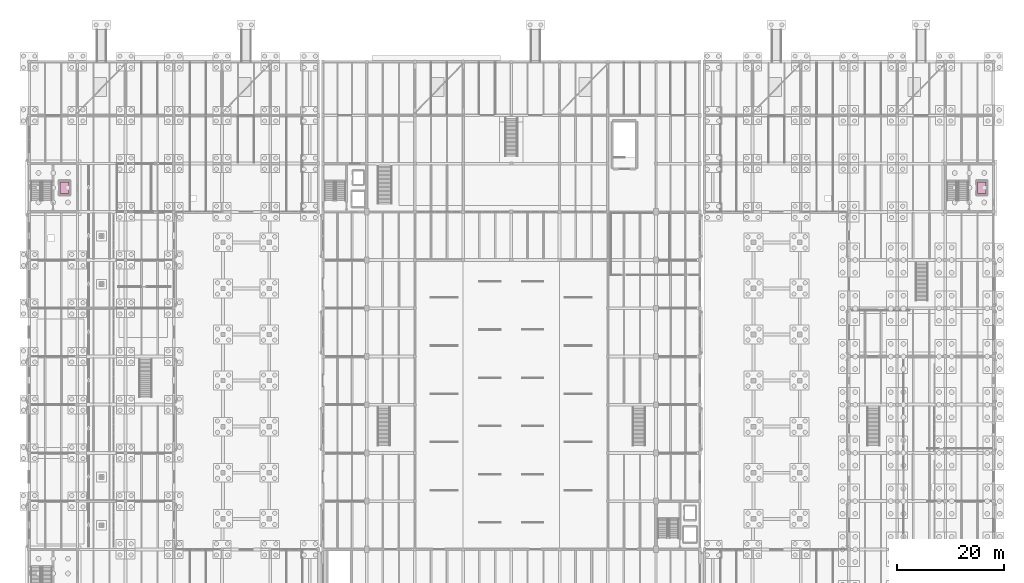
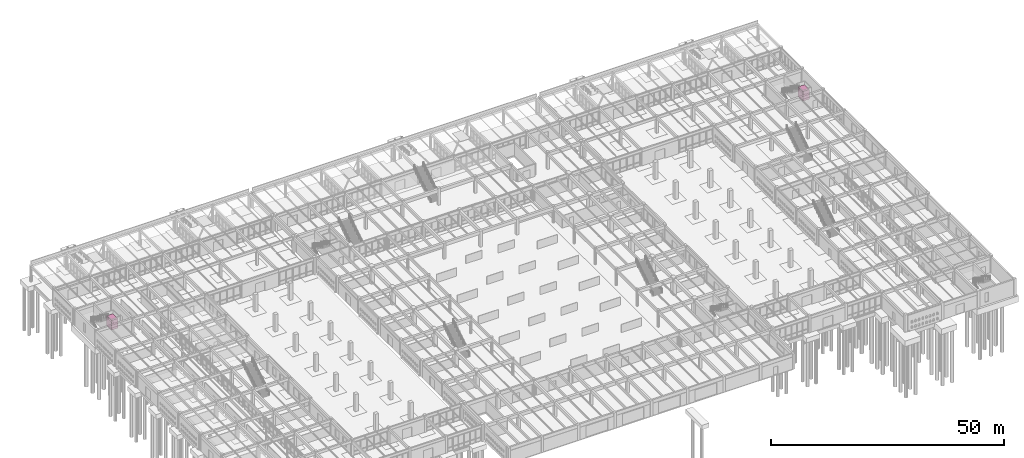
# One storey, part 186 of 186: 2 transport elements.
"""IFC4 building model written with IfcOpenShell, lengths in metres."""

from ifc_helpers import new_model, si_unit, direction, frame, origin, origin_2d, place, context, subcontext, project, spatial, rectangle, extrude, material, type_object, element, save


model = new_model("IFC4")

# Units and contexts
model_context = context("Model", 3, precision=1e-05, world=origin(), true_north=direction((0.0, 1.0)))
body_context = subcontext(model_context, "Body", "Model", "MODEL_VIEW")
ifc_project = project(units=[si_unit("LENGTHUNIT", "METRE"), si_unit("AREAUNIT", "SQUARE_METRE"), si_unit("VOLUMEUNIT", "CUBIC_METRE"), si_unit("PLANEANGLEUNIT", "RADIAN"), si_unit("MASSUNIT", "GRAM", prefix="KILO")], contexts=[model_context])

# Site, building, storey
site_placement = place(None, origin())
site = spatial("IfcSite", under=ifc_project, at=site_placement, CompositionType="ELEMENT")
building_placement = place(site_placement, origin())
building = spatial("IfcBuilding", under=site, at=building_placement, Name="Ornek Quay Market", CompositionType="ELEMENT")
storey_placement = place(building_placement, origin())
storey = spatial("IfcBuildingStorey", under=building, at=storey_placement, Name="L00", CompositionType="ELEMENT", Elevation=0.0)

# Transport elements
ifc_material = material(Name="Brushed stainless steel 316 lift car", Category="steel")
transport_element_type = type_object("IfcTransportElementType", Name="LFT-PASS-1600x2100", PredefinedType="ELEVATOR", material=ifc_material)
for number, where, z_axis, x_axis, name in (
    (1, (6.60009765625, 96.5, 0.0), (0.0, 0.0, 1.0), (1.0, 0.0, 0.0), "Elevator LP-01"),
    (2, (177.800048828125, 96.5, 0.0), (0.0, 0.0, 1.0), (1.0, 0.0, 0.0), "Elevator LP-04"),
):
    element("IfcTransportElement", number, at=place(storey_placement, frame(where, z_axis=z_axis, x_axis=x_axis)), inside=storey, type_object=transport_element_type, Name=name, PredefinedType="ELEVATOR", context=body_context, shape_type="SweptSolid", body=[
        extrude(rectangle(XDim=1.60009765625, YDim=2.10009765625, at=origin_2d()), origin(), (0.0, 0.0, 1.0), 2.5),
    ])

save(model, "model.ifc")
